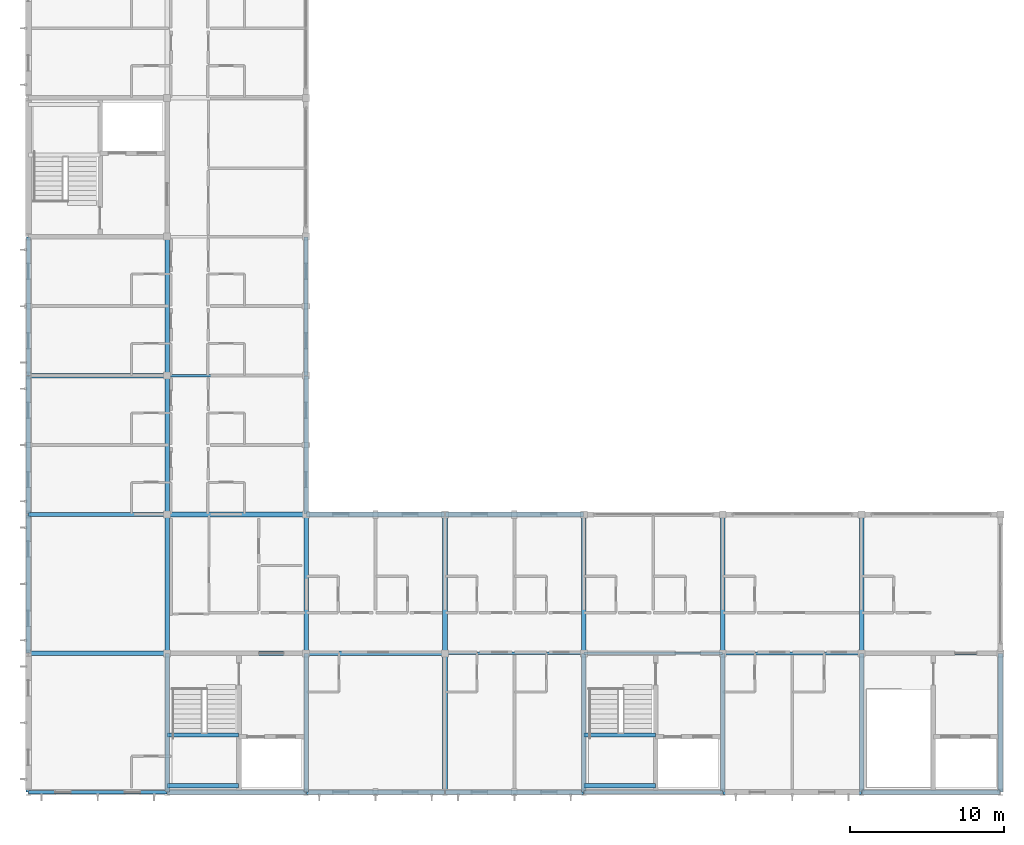
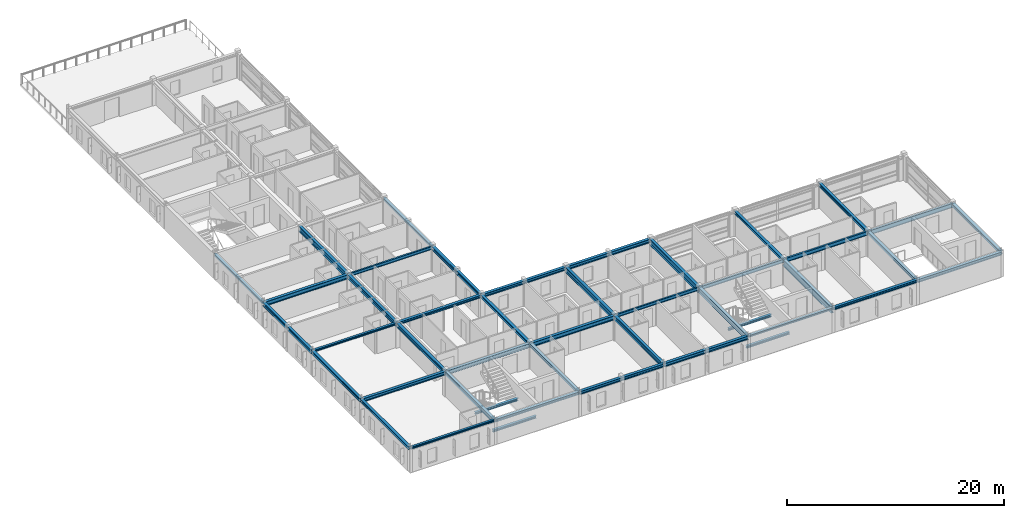
# One storey, part 4 of 20: 45 beams.
"""IFC4 building model written with IfcOpenShell, lengths in metres."""

from ifc_helpers import new_model, si_unit, direction, frame, origin, origin_2d, place, context, subcontext, project, spatial, i_section, extrude, material, material_profile, profile_set, type_object, element, save


model = new_model("IFC4")

# Units and contexts
model_context = context("Model", 3, precision=1e-05, world=origin(), true_north=direction((0.0, 1.0)))
body_context = subcontext(model_context, "Body", "Model", "MODEL_VIEW")
ifc_project = project(units=[si_unit("LENGTHUNIT", "METRE"), si_unit("AREAUNIT", "SQUARE_METRE"), si_unit("VOLUMEUNIT", "CUBIC_METRE"), si_unit("PLANEANGLEUNIT", "RADIAN"), si_unit("MASSUNIT", "GRAM", prefix="KILO")], contexts=[model_context])

# Site, building, storey
site_placement = place(None, origin())
site = spatial("IfcSite", under=ifc_project, at=site_placement, CompositionType="ELEMENT")
building_placement = place(site_placement, origin())
building = spatial("IfcBuilding", under=site, at=building_placement, Name="Palais des Congres Ocreval", CompositionType="ELEMENT")
storey_placement = place(building_placement, frame((0.0, 0.0, 20.639892578125)))
storey = spatial("IfcBuildingStorey", under=building, at=storey_placement, Name="L06", CompositionType="ELEMENT", Elevation=20.639892578125)

# Beams
ifc_material = material(Name="Steel S355", Category="steel")
ifc_material_profile_1 = material_profile(ifc_material, i_section(OverallWidth=0.169921875, OverallDepth=0.360107421875, WebThickness=0.008056640625, FlangeThickness=0.0126953125, at=origin_2d()), Name="IPE 360")
ifc_profile_set_1 = profile_set([ifc_material_profile_1], Name="Steel S355")
beam_type_1 = type_object("IfcBeamType", Name="Composite Beam IPE 360 Steel S355", PredefinedType="BEAM", material=ifc_profile_set_1)
for number, where, z_axis, x_axis, name in (
    (1, (9.02001953125, 27.0, 2.60009765625), (1.0, 0.0, 0.0), (0.0, 1.0, 0.0), "Beam B01 L06"),
    (2, (27.02001953125, 9.0, 2.60009765625), (1.0, 0.0, 0.0), (0.0, 1.0, 0.0), "Beam B01 L06"),
):
    element("IfcBeam", number, at=place(storey_placement, frame(where, z_axis=z_axis, x_axis=x_axis)), inside=storey, type_object=beam_type_1, Name=name, PredefinedType="BEAM", context=body_context, shape_type="SweptSolid", body=[
        extrude(i_section(OverallWidth=0.169921875, OverallDepth=0.360107421875, WebThickness=0.008056640625, FlangeThickness=0.0126953125, at=origin_2d()), origin(), (0.0, 0.0, 1.0), 8.9599609375),
    ])
ifc_material_profile_2 = material_profile(ifc_material, i_section(OverallWidth=0.179931640625, OverallDepth=0.39990234375, WebThickness=0.008544921875, FlangeThickness=0.013427734375, at=origin_2d()), Name="IPE 400")
ifc_profile_set_2 = profile_set([ifc_material_profile_2], Name="Steel S355")
beam_type_2 = type_object("IfcBeamType", Name="Composite Beam IPE 400 Steel S355", PredefinedType="BEAM", material=ifc_profile_set_2)
beam_1_placement = place(storey_placement, frame((36.02001953125, 9.0, 2.580078125), z_axis=(1.0, 0.0, 0.0), x_axis=(0.0, 1.0, 0.0)))
element("IfcBeam", 3, at=beam_1_placement, inside=storey, type_object=beam_type_2, Name="Beam B02 L06", PredefinedType="BEAM", context=body_context, shape_type="SweptSolid", body=[
    extrude(i_section(OverallWidth=0.179931640625, OverallDepth=0.39990234375, WebThickness=0.008544921875, FlangeThickness=0.013427734375, at=origin_2d()), origin(), (0.0, 0.0, 1.0), 8.9599609375),
])
ifc_material_profile_3 = material_profile(ifc_material, i_section(OverallWidth=0.18994140625, OverallDepth=0.449951171875, WebThickness=0.009521484375, FlangeThickness=0.0146484375, at=origin_2d()), Name="IPE 450")
ifc_profile_set_3 = profile_set([ifc_material_profile_3], Name="Steel S355")
beam_type_3 = type_object("IfcBeamType", Name="Composite Beam IPE 450 Steel S355", PredefinedType="BEAM", material=ifc_profile_set_3)
beam_2_placement = place(storey_placement, frame((45.02001953125, 9.0, 2.55517578125), z_axis=(1.0, 0.0, 0.0), x_axis=(0.0, 1.0, 0.0)))
element("IfcBeam", 4, at=beam_2_placement, inside=storey, type_object=beam_type_3, Name="Beam B03 L06", PredefinedType="BEAM", context=body_context, shape_type="SweptSolid", body=[
    extrude(i_section(OverallWidth=0.18994140625, OverallDepth=0.449951171875, WebThickness=0.009521484375, FlangeThickness=0.0146484375, at=origin_2d()), origin(), (0.0, 0.0, 1.0), 8.9599609375),
])
ifc_material_profile_4 = material_profile(ifc_material, i_section(OverallWidth=0.199951171875, OverallDepth=0.5, WebThickness=0.01025390625, FlangeThickness=0.01611328125, at=origin_2d()), Name="IPE 500")
ifc_profile_set_4 = profile_set([ifc_material_profile_4], Name="Steel S355")
beam_type_4 = type_object("IfcBeamType", Name="Composite Beam IPE 500 Steel S355", PredefinedType="BEAM", material=ifc_profile_set_4)
beam_3_placement = place(storey_placement, frame((54.02001953125, 9.0, 2.530029296875), z_axis=(1.0, 0.0, 0.0), x_axis=(0.0, 1.0, 0.0)))
element("IfcBeam", 5, at=beam_3_placement, inside=storey, type_object=beam_type_4, Name="Beam B04 L06", PredefinedType="BEAM", context=body_context, shape_type="SweptSolid", body=[
    extrude(i_section(OverallWidth=0.199951171875, OverallDepth=0.5, WebThickness=0.01025390625, FlangeThickness=0.01611328125, at=origin_2d()), origin(), (0.0, 0.0, 1.0), 8.9599609375),
])
ifc_material_profile_5 = material_profile(ifc_material, i_section(OverallWidth=0.260009765625, OverallDepth=0.260009765625, WebThickness=0.010009765625, FlangeThickness=0.017578125, at=origin_2d()), Name="HEB 260")
ifc_profile_set_5 = profile_set([ifc_material_profile_5], Name="Steel S355")
beam_type_5 = type_object("IfcBeamType", Name="Opening Lintel HEB 260 Steel S355", PredefinedType="LINTEL", material=ifc_profile_set_5)
for number, where, z_axis, x_axis, name in (
    (6, (0.0, 27.02001953125, 2.650146484375), (0.0, 1.0, 0.0), (-1.0, 0.0, 0.0), "Girder LN01 L06"),
    (7, (18.0, 27.02001953125, 2.650146484375), (0.0, 1.0, 0.0), (-1.0, 0.0, 0.0), "Girder LN01 L06"),
):
    element("IfcBeam", number, at=place(storey_placement, frame(where, z_axis=z_axis, x_axis=x_axis)), inside=storey, type_object=beam_type_5, Name=name, PredefinedType="LINTEL", context=body_context, shape_type="SweptSolid", body=[
        extrude(i_section(OverallWidth=0.260009765625, OverallDepth=0.260009765625, WebThickness=0.010009765625, FlangeThickness=0.017578125, at=origin_2d()), origin(), (0.0, 0.0, 1.0), 8.9599609375),
    ])
for number, where, z_axis, x_axis, name in (
    (8, (9.02001953125, 0.419921875, 1.190185546875), (1.0, 0.0, 0.0), (0.0, 1.0, 0.0), "Stair Landing Support Beam ST01 L06-1"),
    (9, (9.02001953125, 3.695068359375, 1.190185546875), (1.0, 0.0, 0.0), (0.0, 1.0, 0.0), "Stair Landing Support Beam ST01 L06-2"),
    (10, (36.02001953125, 0.419921875, 1.190185546875), (1.0, 0.0, 0.0), (0.0, 1.0, 0.0), "Stair Landing Support Beam ST02 L06-1"),
    (11, (36.02001953125, 3.695068359375, 1.190185546875), (1.0, 0.0, 0.0), (0.0, 1.0, 0.0), "Stair Landing Support Beam ST02 L06-2"),
):
    element("IfcBeam", number, at=place(storey_placement, frame(where, z_axis=z_axis, x_axis=x_axis)), inside=storey, type_object=beam_type_5, Name=name, PredefinedType="LINTEL", context=body_context, shape_type="SweptSolid", body=[
        extrude(i_section(OverallWidth=0.260009765625, OverallDepth=0.260009765625, WebThickness=0.010009765625, FlangeThickness=0.017578125, at=origin_2d()), origin(), (0.0, 0.0, 1.0), 4.60986328125),
    ])
ifc_material_profile_6 = material_profile(ifc_material, i_section(OverallWidth=0.239990234375, OverallDepth=0.22998046875, WebThickness=0.007568359375, FlangeThickness=0.011962890625, at=origin_2d()), Name="HEA 240")
ifc_profile_set_6 = profile_set([ifc_material_profile_6], Name="Steel S355")
beam_type_6 = type_object("IfcBeamType", Name="Perimeter Spandrel HEA 240 Steel S355", PredefinedType="SPANDREL", material=ifc_profile_set_6)
for number, where, z_axis, x_axis, name in (
    (12, (0.02001953125, 0.0, 2.6650390625), (1.0, 0.0, 0.0), (0.0, 1.0, 0.0), "Beam SP01 L06"),
    (13, (0.02001953125, 18.0, 2.6650390625), (1.0, 0.0, 0.0), (0.0, 1.0, 0.0), "Beam SP01 L06"),
    (14, (36.02001953125, 0.0, 2.6650390625), (1.0, 0.0, 0.0), (0.0, 1.0, 0.0), "Beam SP01 L06"),
):
    element("IfcBeam", number, at=place(storey_placement, frame(where, z_axis=z_axis, x_axis=x_axis)), inside=storey, type_object=beam_type_6, Name=name, PredefinedType="SPANDREL", context=body_context, shape_type="SweptSolid", body=[
        extrude(i_section(OverallWidth=0.239990234375, OverallDepth=0.22998046875, WebThickness=0.007568359375, FlangeThickness=0.011962890625, at=origin_2d()), origin(), (0.0, 0.0, 1.0), 8.9599609375),
    ])
ifc_material_profile_7 = material_profile(ifc_material, i_section(OverallWidth=0.300048828125, OverallDepth=0.300048828125, WebThickness=0.010986328125, FlangeThickness=0.01904296875, at=origin_2d()), Name="HEB 300")
ifc_profile_set_7 = profile_set([ifc_material_profile_7], Name="Steel S355")
beam_type_7 = type_object("IfcBeamType", Name="Perimeter Spandrel HEB 300 Steel S355", PredefinedType="SPANDREL", material=ifc_profile_set_7)
for number, where, z_axis, x_axis, name in (
    (15, (0.0, 0.02001953125, 2.630126953125), (0.0, 1.0, 0.0), (-1.0, 0.0, 0.0), "Girder SP02 L06"),
    (16, (9.02001953125, 0.0, 2.630126953125), (1.0, 0.0, 0.0), (0.0, 1.0, 0.0), "Beam SP02 L06"),
    (17, (9.02001953125, 18.0, 2.630126953125), (1.0, 0.0, 0.0), (0.0, 1.0, 0.0), "Beam SP02 L06"),
    (18, (18.0, 0.02001953125, 2.630126953125), (0.0, 1.0, 0.0), (-1.0, 0.0, 0.0), "Girder SP02 L06"),
    (19, (45.02001953125, 0.0, 2.630126953125), (1.0, 0.0, 0.0), (0.0, 1.0, 0.0), "Beam SP02 L06"),
    (20, (54.0, 0.02001953125, 2.630126953125), (0.0, 1.0, 0.0), (-1.0, 0.0, 0.0), "Girder SP02 L06"),
):
    element("IfcBeam", number, at=place(storey_placement, frame(where, z_axis=z_axis, x_axis=x_axis)), inside=storey, type_object=beam_type_7, Name=name, PredefinedType="SPANDREL", context=body_context, shape_type="SweptSolid", body=[
        extrude(i_section(OverallWidth=0.300048828125, OverallDepth=0.300048828125, WebThickness=0.010986328125, FlangeThickness=0.01904296875, at=origin_2d()), origin(), (0.0, 0.0, 1.0), 8.9599609375),
    ])
ifc_material_profile_8 = material_profile(ifc_material, i_section(OverallWidth=0.300048828125, OverallDepth=0.360107421875, WebThickness=0.012451171875, FlangeThickness=0.0224609375, at=origin_2d()), Name="HEB 360")
ifc_profile_set_8 = profile_set([ifc_material_profile_8], Name="Steel S355")
beam_type_8 = type_object("IfcBeamType", Name="Perimeter Spandrel HEB 360 Steel S355", PredefinedType="SPANDREL", material=ifc_profile_set_8)
for number, where, z_axis, x_axis, name in (
    (21, (0.0, 9.02001953125, 2.60009765625), (0.0, 1.0, 0.0), (-1.0, 0.0, 0.0), "Girder SP03 L06"),
    (22, (18.02001953125, 0.0, 2.60009765625), (1.0, 0.0, 0.0), (0.0, 1.0, 0.0), "Beam SP03 L06"),
    (23, (18.0, 9.02001953125, 2.60009765625), (0.0, 1.0, 0.0), (-1.0, 0.0, 0.0), "Girder SP03 L06"),
    (24, (18.02001953125, 18.0, 2.60009765625), (1.0, 0.0, 0.0), (0.0, 1.0, 0.0), "Beam SP03 L06"),
    (25, (54.02001953125, 0.0, 2.60009765625), (1.0, 0.0, 0.0), (0.0, 1.0, 0.0), "Beam SP03 L06"),
    (26, (54.0, 9.02001953125, 2.60009765625), (0.0, 1.0, 0.0), (-1.0, 0.0, 0.0), "Girder SP03 L06"),
):
    element("IfcBeam", number, at=place(storey_placement, frame(where, z_axis=z_axis, x_axis=x_axis)), inside=storey, type_object=beam_type_8, Name=name, PredefinedType="SPANDREL", context=body_context, shape_type="SweptSolid", body=[
        extrude(i_section(OverallWidth=0.300048828125, OverallDepth=0.360107421875, WebThickness=0.012451171875, FlangeThickness=0.0224609375, at=origin_2d()), origin(), (0.0, 0.0, 1.0), 8.9599609375),
    ])
ifc_material_profile_9 = material_profile(ifc_material, i_section(OverallWidth=0.300048828125, OverallDepth=0.39990234375, WebThickness=0.013427734375, FlangeThickness=0.02392578125, at=origin_2d()), Name="HEB 400")
ifc_profile_set_9 = profile_set([ifc_material_profile_9], Name="Steel S355")
beam_type_9 = type_object("IfcBeamType", Name="Perimeter Spandrel HEB 400 Steel S355", PredefinedType="SPANDREL", material=ifc_profile_set_9)
for number, where, z_axis, x_axis, name in (
    (27, (0.0, 18.02001953125, 2.580078125), (0.0, 1.0, 0.0), (-1.0, 0.0, 0.0), "Girder SP04 L06"),
    (28, (18.0, 18.02001953125, 2.580078125), (0.0, 1.0, 0.0), (-1.0, 0.0, 0.0), "Girder SP04 L06"),
    (29, (27.02001953125, 0.0, 2.580078125), (1.0, 0.0, 0.0), (0.0, 1.0, 0.0), "Beam SP04 L06"),
    (30, (27.02001953125, 18.0, 2.580078125), (1.0, 0.0, 0.0), (0.0, 1.0, 0.0), "Beam SP04 L06"),
):
    element("IfcBeam", number, at=place(storey_placement, frame(where, z_axis=z_axis, x_axis=x_axis)), inside=storey, type_object=beam_type_9, Name=name, PredefinedType="SPANDREL", context=body_context, shape_type="SweptSolid", body=[
        extrude(i_section(OverallWidth=0.300048828125, OverallDepth=0.39990234375, WebThickness=0.013427734375, FlangeThickness=0.02392578125, at=origin_2d()), origin(), (0.0, 0.0, 1.0), 8.9599609375),
    ])
ifc_material_profile_10 = material_profile(ifc_material, i_section(OverallWidth=0.300048828125, OverallDepth=0.2900390625, WebThickness=0.008544921875, FlangeThickness=0.013916015625, at=origin_2d()), Name="HEA 300")
ifc_profile_set_10 = profile_set([ifc_material_profile_10], Name="Steel S355")
beam_type_10 = type_object("IfcBeamType", Name="Primary Beam HEA 300 Steel S355", PredefinedType="BEAM", material=ifc_profile_set_10)
beam_4_placement = place(storey_placement, frame((45.0, 9.02001953125, 2.635009765625), z_axis=(0.0, 1.0, 0.0), x_axis=(-1.0, 0.0, 0.0)))
element("IfcBeam", 31, at=beam_4_placement, inside=storey, type_object=beam_type_10, Name="Girder B08 L06", PredefinedType="BEAM", context=body_context, shape_type="SweptSolid", body=[
    extrude(i_section(OverallWidth=0.300048828125, OverallDepth=0.2900390625, WebThickness=0.008544921875, FlangeThickness=0.013916015625, at=origin_2d()), origin(), (0.0, 0.0, 1.0), 8.9599609375),
])
ifc_material_profile_11 = material_profile(ifc_material, i_section(OverallWidth=0.300048828125, OverallDepth=0.330078125, WebThickness=0.009521484375, FlangeThickness=0.0166015625, at=origin_2d()), Name="HEA 340")
ifc_profile_set_11 = profile_set([ifc_material_profile_11], Name="Steel S355")
beam_type_11 = type_object("IfcBeamType", Name="Primary Beam HEA 340 Steel S355", PredefinedType="BEAM", material=ifc_profile_set_11)
beam_5_placement = place(storey_placement, frame((63.0, 0.02001953125, 2.614990234375), z_axis=(0.0, 1.0, 0.0), x_axis=(-1.0, 0.0, 0.0)))
element("IfcBeam", 32, at=beam_5_placement, inside=storey, type_object=beam_type_11, Name="Girder B09 L06", PredefinedType="BEAM", context=body_context, shape_type="SweptSolid", body=[
    extrude(i_section(OverallWidth=0.300048828125, OverallDepth=0.330078125, WebThickness=0.009521484375, FlangeThickness=0.0166015625, at=origin_2d()), origin(), (0.0, 0.0, 1.0), 8.9599609375),
])
ifc_material_profile_12 = material_profile(ifc_material, i_section(OverallWidth=0.300048828125, OverallDepth=0.389892578125, WebThickness=0.010986328125, FlangeThickness=0.01904296875, at=origin_2d()), Name="HEA 400")
ifc_profile_set_12 = profile_set([ifc_material_profile_12], Name="Steel S355")
beam_type_12 = type_object("IfcBeamType", Name="Primary Beam HEA 400 Steel S355", PredefinedType="BEAM", material=ifc_profile_set_12)
for number, where, z_axis, x_axis, name in (
    (33, (0.02001953125, 9.0, 2.585205078125), (1.0, 0.0, 0.0), (0.0, 1.0, 0.0), "Beam B10 L06"),
    (34, (9.0, 0.02001953125, 2.585205078125), (0.0, 1.0, 0.0), (-1.0, 0.0, 0.0), "Girder B10 L06"),
):
    element("IfcBeam", number, at=place(storey_placement, frame(where, z_axis=z_axis, x_axis=x_axis)), inside=storey, type_object=beam_type_12, Name=name, PredefinedType="BEAM", context=body_context, shape_type="SweptSolid", body=[
        extrude(i_section(OverallWidth=0.300048828125, OverallDepth=0.389892578125, WebThickness=0.010986328125, FlangeThickness=0.01904296875, at=origin_2d()), origin(), (0.0, 0.0, 1.0), 8.9599609375),
    ])
ifc_material_profile_13 = material_profile(ifc_material, i_section(OverallWidth=0.300048828125, OverallDepth=0.43994140625, WebThickness=0.011474609375, FlangeThickness=0.02099609375, at=origin_2d()), Name="HEA 450")
ifc_profile_set_13 = profile_set([ifc_material_profile_13], Name="Steel S355")
beam_type_13 = type_object("IfcBeamType", Name="Primary Beam HEA 450 Steel S355", PredefinedType="BEAM", material=ifc_profile_set_13)
for number, where, z_axis, x_axis, name in (
    (35, (9.02001953125, 9.0, 2.56005859375), (1.0, 0.0, 0.0), (0.0, 1.0, 0.0), "Beam B11 L06"),
    (36, (9.0, 9.02001953125, 2.56005859375), (0.0, 1.0, 0.0), (-1.0, 0.0, 0.0), "Girder B11 L06"),
):
    element("IfcBeam", number, at=place(storey_placement, frame(where, z_axis=z_axis, x_axis=x_axis)), inside=storey, type_object=beam_type_13, Name=name, PredefinedType="BEAM", context=body_context, shape_type="SweptSolid", body=[
        extrude(i_section(OverallWidth=0.300048828125, OverallDepth=0.43994140625, WebThickness=0.011474609375, FlangeThickness=0.02099609375, at=origin_2d()), origin(), (0.0, 0.0, 1.0), 8.9599609375),
    ])
ifc_material_profile_14 = material_profile(ifc_material, i_section(OverallWidth=0.300048828125, OverallDepth=0.489990234375, WebThickness=0.011962890625, FlangeThickness=0.02294921875, at=origin_2d()), Name="HEA 500")
ifc_profile_set_14 = profile_set([ifc_material_profile_14], Name="Steel S355")
beam_type_14 = type_object("IfcBeamType", Name="Primary Beam HEA 500 Steel S355", PredefinedType="BEAM", material=ifc_profile_set_14)
for number, where, z_axis, x_axis, name in (
    (37, (0.02001953125, 27.0, 2.53515625), (1.0, 0.0, 0.0), (0.0, 1.0, 0.0), "Beam B12 L06"),
    (38, (9.0, 18.02001953125, 2.53515625), (0.0, 1.0, 0.0), (-1.0, 0.0, 0.0), "Girder B12 L06"),
    (39, (18.02001953125, 9.0, 2.53515625), (1.0, 0.0, 0.0), (0.0, 1.0, 0.0), "Beam B12 L06"),
    (40, (27.0, 0.02001953125, 2.53515625), (0.0, 1.0, 0.0), (-1.0, 0.0, 0.0), "Girder B12 L06"),
):
    element("IfcBeam", number, at=place(storey_placement, frame(where, z_axis=z_axis, x_axis=x_axis)), inside=storey, type_object=beam_type_14, Name=name, PredefinedType="BEAM", context=body_context, shape_type="SweptSolid", body=[
        extrude(i_section(OverallWidth=0.300048828125, OverallDepth=0.489990234375, WebThickness=0.011962890625, FlangeThickness=0.02294921875, at=origin_2d()), origin(), (0.0, 0.0, 1.0), 8.9599609375),
    ])
ifc_material_profile_15 = material_profile(ifc_material, i_section(OverallWidth=0.300048828125, OverallDepth=0.590087890625, WebThickness=0.012939453125, FlangeThickness=0.02490234375, at=origin_2d()), Name="HEA 600")
ifc_profile_set_15 = profile_set([ifc_material_profile_15], Name="Steel S355")
beam_type_15 = type_object("IfcBeamType", Name="Primary Girder HEA 600 Steel S355", PredefinedType="BEAM", material=ifc_profile_set_15)
for number, where, z_axis, x_axis, name in (
    (41, (9.0, 27.02001953125, 2.485107421875), (0.0, 1.0, 0.0), (-1.0, 0.0, 0.0), "Girder B13 L06"),
    (42, (27.0, 9.02001953125, 2.485107421875), (0.0, 1.0, 0.0), (-1.0, 0.0, 0.0), "Girder B13 L06"),
    (43, (36.0, 0.02001953125, 2.485107421875), (0.0, 1.0, 0.0), (-1.0, 0.0, 0.0), "Girder B13 L06"),
):
    element("IfcBeam", number, at=place(storey_placement, frame(where, z_axis=z_axis, x_axis=x_axis)), inside=storey, type_object=beam_type_15, Name=name, PredefinedType="BEAM", context=body_context, shape_type="SweptSolid", body=[
        extrude(i_section(OverallWidth=0.300048828125, OverallDepth=0.590087890625, WebThickness=0.012939453125, FlangeThickness=0.02490234375, at=origin_2d()), origin(), (0.0, 0.0, 1.0), 8.9599609375),
    ])
ifc_material_profile_16 = material_profile(ifc_material, i_section(OverallWidth=0.300048828125, OverallDepth=0.68994140625, WebThickness=0.014404296875, FlangeThickness=0.027099609375, at=origin_2d()), Name="HEA 700")
ifc_profile_set_16 = profile_set([ifc_material_profile_16], Name="Steel S355")
beam_type_16 = type_object("IfcBeamType", Name="Primary Girder HEA 700 Steel S355", PredefinedType="BEAM", material=ifc_profile_set_16)
for number, where, z_axis, x_axis, name in (
    (44, (36.0, 9.02001953125, 2.43505859375), (0.0, 1.0, 0.0), (-1.0, 0.0, 0.0), "Girder B14 L06"),
    (45, (45.0, 0.02001953125, 2.43505859375), (0.0, 1.0, 0.0), (-1.0, 0.0, 0.0), "Girder B14 L06"),
):
    element("IfcBeam", number, at=place(storey_placement, frame(where, z_axis=z_axis, x_axis=x_axis)), inside=storey, type_object=beam_type_16, Name=name, PredefinedType="BEAM", context=body_context, shape_type="SweptSolid", body=[
        extrude(i_section(OverallWidth=0.300048828125, OverallDepth=0.68994140625, WebThickness=0.014404296875, FlangeThickness=0.027099609375, at=origin_2d()), origin(), (0.0, 0.0, 1.0), 8.9599609375),
    ])

save(model, "model.ifc")
